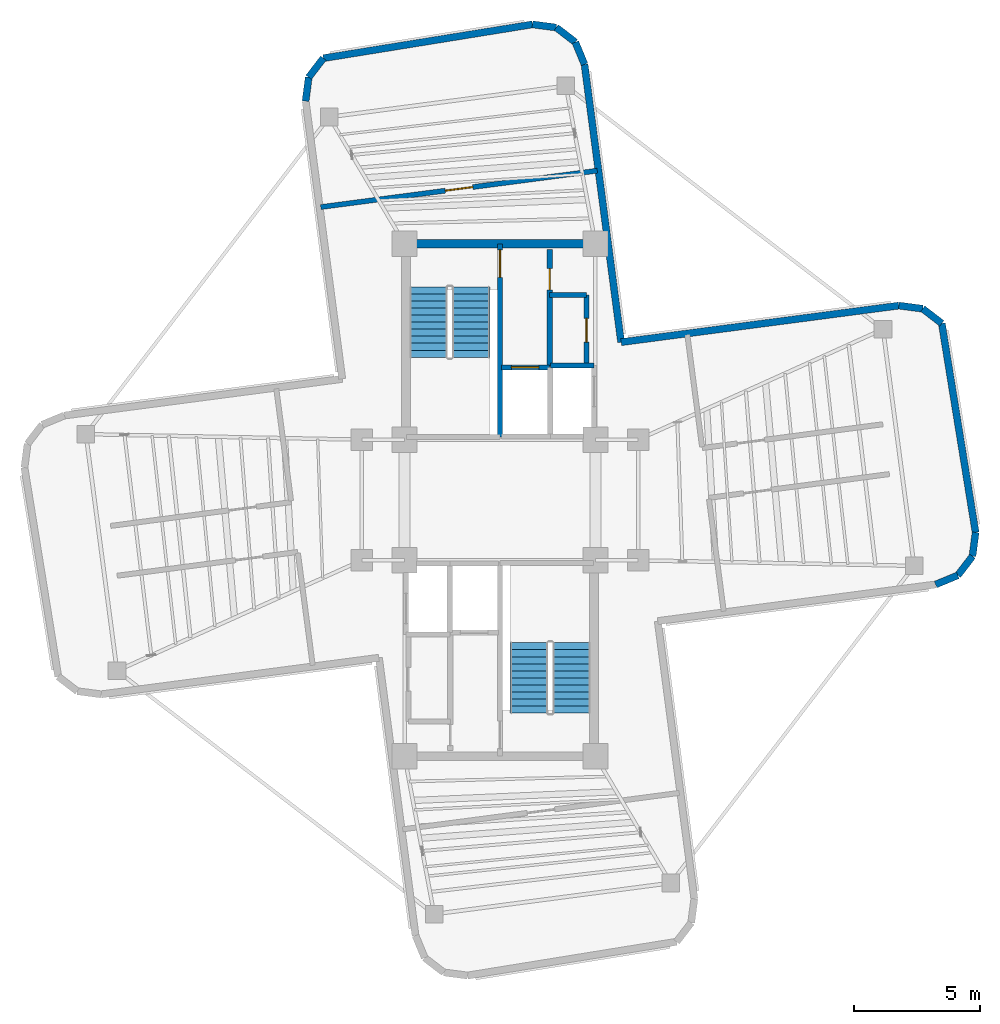
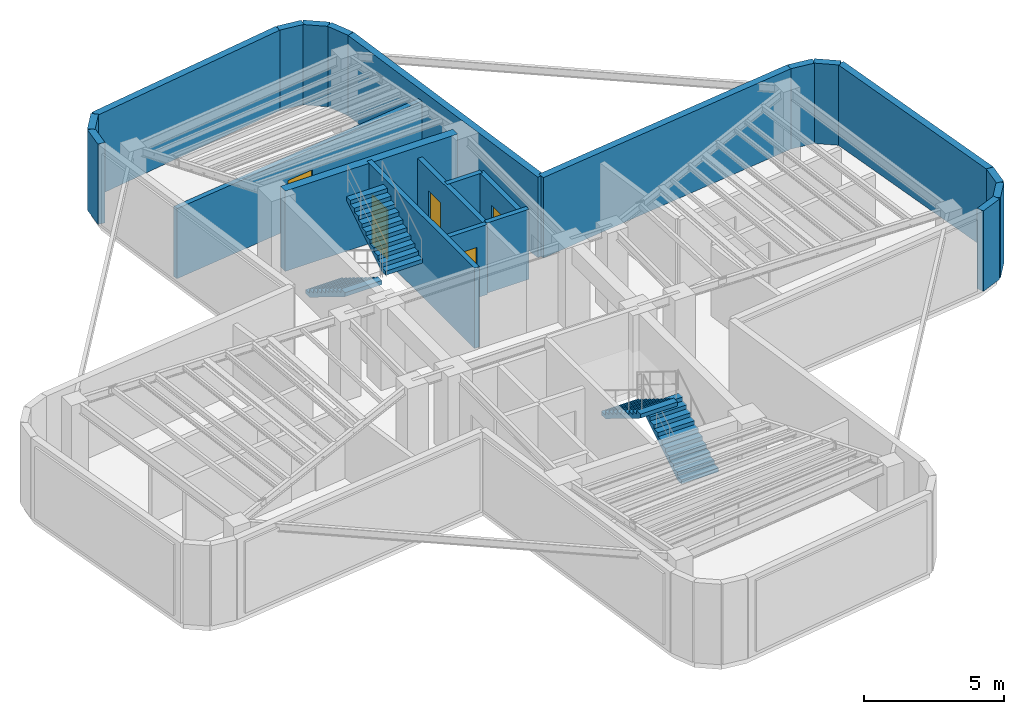
# One storey, part 5 of 6: 22 walls, 5 doors, 4 stair flights, 5 openings, 2 elements without a shape of their own.
"""IFC4 building model written with IfcOpenShell, lengths in metres."""

from ifc_helpers import new_model, si_unit, direction, frame, frame_2d, origin, origin_2d, place, context, subcontext, project, spatial, polyline, rectangle, outline, extrude, source, transform, mapped, material, layer, layer_set, type_object, element, fill, aggregate, save


model = new_model("IFC4")

# Units and contexts
model_context = context("Model", 3, precision=1e-05, world=origin(), true_north=direction((0.0, 1.0)))
body_context = subcontext(model_context, "Body", "Model", "MODEL_VIEW")
ifc_project = project(units=[si_unit("LENGTHUNIT", "METRE"), si_unit("AREAUNIT", "SQUARE_METRE"), si_unit("VOLUMEUNIT", "CUBIC_METRE"), si_unit("PLANEANGLEUNIT", "RADIAN"), si_unit("MASSUNIT", "GRAM", prefix="KILO")], contexts=[model_context])

# Site, building, storey
site_placement = place(None, origin())
site = spatial("IfcSite", under=ifc_project, at=site_placement, CompositionType="ELEMENT")
building_placement = place(site_placement, origin())
building = spatial("IfcBuilding", under=site, at=building_placement, Name="Sahyath Konkavel Grand Hotel", CompositionType="ELEMENT")
storey_placement = place(building_placement, frame((0.0, 0.0, 296.5)))
storey = spatial("IfcBuildingStorey", under=building, at=storey_placement, Name="L82", CompositionType="ELEMENT", Elevation=296.5)

# Wall
ifc_material_1 = material(Name="Concrete C40/50", Category="concrete")
ifc_layer_1 = layer(ifc_material_1, 0.35009765625)
ifc_layer_set_1 = layer_set([ifc_layer_1], Name="Concrete C40/50")
wall_type_1 = type_object("IfcWallType", Name="CWALL-350", PredefinedType="SHEAR", material=ifc_layer_set_1)
wall_1_placement = place(storey_placement, frame((-3.550048828125, 10.199951171875, 0.0), z_axis=(0.0, 0.0, 1.0), x_axis=(1.0, 0.0, 0.0)))
element("IfcWall", 1, at=wall_1_placement, inside=storey, type_object=wall_type_1, Name="L82 North Core Shear Wall N", PredefinedType="SHEAR", context=body_context, shape_type="SweptSolid", body=[
    extrude(rectangle(XDim=7.10009765625, YDim=0.35009765625, at=frame_2d((3.550048828125, 0.0))), origin(), (0.0, 0.0, 1.0), 3.5),
])

# Wall, opening, door
ifc_layer_2 = layer(ifc_material_1, 0.199951171875)
ifc_layer_set_2 = layer_set([ifc_layer_2], Name="Concrete C40/50")
wall_type_2 = type_object("IfcWallType", Name="WLL-CORE-200", PredefinedType="SOLIDWALL", material=ifc_layer_set_2)
wall_2_placement = place(storey_placement, frame((0.0, 2.5, 0.0), z_axis=(0.0, 0.0, 1.0), x_axis=(0.0, 1.0, 0.0)))
wall_2 = element("IfcWall", 2, at=wall_2_placement, inside=storey, type_object=wall_type_2, Name="L82 Stair ST-1 Shaft Wall E", PredefinedType="SOLIDWALL", context=body_context, shape_type="SweptSolid", body=[
    extrude(rectangle(XDim=7.679931640625, YDim=0.199951171875, at=frame_2d((3.83984375, 0.0))), origin(), (0.0, 0.0, 1.0), 3.5),
])
opening_1_placement = place(wall_2_placement, frame((6.360107421875, 0.0, 0.0)))
opening_1 = element("IfcOpeningElement", 3, at=opening_1_placement, cuts=wall_2, Name="Opening D-F12B", PredefinedType="OPENING", context=body_context, shape_type="SweptSolid", body=[
    extrude(rectangle(XDim=1.10009765625, YDim=2.14990234375, at=frame_2d((0.550048828125, 1.074951171875))), frame((0.0, 0.10986328125, 0.0), z_axis=(0.0, -1.0, 0.0), x_axis=(1.0, 0.0, 0.0)), (0.0, 0.0, 1.0), 0.219970703125),
])
ifc_material_2 = material(Name="Steel E350 Smokeproof Fire Door", Category="steel")
door_type_1 = type_object("IfcDoorType", Name="DR-FD120-1100", OperationType="NOTDEFINED", PredefinedType="DOOR", material=ifc_material_2)
shared_shape_1 = source(origin(), body_context, "Body", "SweptSolid", [
    extrude(rectangle(XDim=1.10009765625, YDim=0.050048828125, at=origin_2d()), origin(), (0.0, 0.0, 1.0), 2.14990234375),
])
door_1_placement = place(opening_1_placement, frame((0.550048828125, 0.0, 0.0)))
door_1 = element("IfcDoor", 4, at=door_1_placement, inside=storey, type_object=door_type_1, Name="L82 Stair ST-1 Fire Door", OperationType="SINGLE_SWING_RIGHT", OverallHeight=2.14990234375, OverallWidth=1.10009765625, PredefinedType="DOOR", context=body_context, shape_type="MappedRepresentation", body=[
    mapped(shared_shape_1, transform((0.0, 0.0, 0.0), scale=1.0)),
])
fill(opening_1, door_1)

wall_3_placement = place(storey_placement, frame((1.97998046875, 5.320068359375, 0.0), z_axis=(0.0, 0.0, 1.0), x_axis=(0.0, 1.0, 0.0)))
wall_3 = element("IfcWall", 5, at=wall_3_placement, inside=storey, type_object=wall_type_2, Name="L82 North Firefighting Lobby Wall E", PredefinedType="SOLIDWALL", context=body_context, shape_type="SweptSolid", body=[
    extrude(rectangle(XDim=4.659912109375, YDim=0.199951171875, at=frame_2d((2.330078125, 0.0))), origin(), (0.0, 0.0, 1.0), 3.050048828125),
])
opening_2_placement = place(wall_3_placement, frame((3.0400390625, 0.0, 0.0)))
opening_2 = element("IfcOpeningElement", 6, at=opening_2_placement, cuts=wall_3, Name="Opening D-F12D", PredefinedType="OPENING", context=body_context, shape_type="SweptSolid", body=[
    extrude(rectangle(XDim=0.85009765625, YDim=2.10009765625, at=frame_2d((0.425048828125, 1.050048828125))), frame((0.0, 0.10986328125, 0.0), z_axis=(0.0, -1.0, 0.0), x_axis=(1.0, 0.0, 0.0)), (0.0, 0.0, 1.0), 0.219970703125),
])
ifc_material_3 = material(Name="Steel E350 Core Fire Door", Category="steel")
door_type_2 = type_object("IfcDoorType", Name="DR-FD120-850", OperationType="NOTDEFINED", PredefinedType="DOOR", material=ifc_material_3)
shared_shape_2 = source(origin(), body_context, "Body", "SweptSolid", [
    extrude(rectangle(XDim=0.85009765625, YDim=0.050048828125, at=origin_2d()), origin(), (0.0, 0.0, 1.0), 2.10009765625),
])
door_2_placement = place(opening_2_placement, frame((0.425048828125, 0.0, 0.0)))
door_2 = element("IfcDoor", 7, at=door_2_placement, inside=storey, type_object=door_type_2, Name="L82 North Firefighting Lobby Door", OperationType="SINGLE_SWING_RIGHT", OverallHeight=2.10009765625, OverallWidth=0.85009765625, PredefinedType="DOOR", context=body_context, shape_type="MappedRepresentation", body=[
    mapped(shared_shape_2, transform((0.0, 0.0, 0.0), scale=1.0)),
])
fill(opening_2, door_2)

wall_4_placement = place(storey_placement, frame((0.050048828125, 5.280029296875, 0.0), z_axis=(0.0, 0.0, 1.0), x_axis=(1.0, 0.0, 0.0)))
wall_4 = element("IfcWall", 8, at=wall_4_placement, inside=storey, type_object=wall_type_2, Name="L82 Partition SH-FFL1-N", PredefinedType="SOLIDWALL", context=body_context, shape_type="SweptSolid", body=[
    extrude(rectangle(XDim=1.929931640625, YDim=0.199951171875, at=frame_2d((0.96484375, 0.0))), origin(), (0.0, 0.0, 1.0), 3.050048828125),
])
opening_3_placement = place(wall_4_placement, frame((0.39990234375, 0.0, 0.0)))
opening_3 = element("IfcOpeningElement", 9, at=opening_3_placement, cuts=wall_4, Name="Opening LD-11", PredefinedType="OPENING", context=body_context, shape_type="SweptSolid", body=[
    extrude(rectangle(XDim=1.10009765625, YDim=2.199951171875, at=frame_2d((0.550048828125, 1.10009765625))), frame((0.0, 0.10986328125, 0.0), z_axis=(0.0, -1.0, 0.0), x_axis=(1.0, 0.0, 0.0)), (0.0, 0.0, 1.0), 0.219970703125),
])
ifc_material_4 = material(Name="Bronze Lift Landing Door 1100")
door_type_3 = type_object("IfcDoorType", Name="DR-LIFT-1100", OperationType="DOUBLE_DOOR_SLIDING", PredefinedType="DOOR", material=ifc_material_4)
shared_shape_3 = source(origin(), body_context, "Body", "SweptSolid", [
    extrude(rectangle(XDim=1.10009765625, YDim=0.050048828125, at=origin_2d()), origin(), (0.0, 0.0, 1.0), 2.199951171875),
])
door_3_placement = place(opening_3_placement, frame((0.550048828125, 0.0, 0.0)))
door_3 = element("IfcDoor", 10, at=door_3_placement, inside=storey, type_object=door_type_3, Name="L82 Lift FFL-1 Landing Door", OperationType="DOUBLE_DOOR_SLIDING", OverallHeight=2.199951171875, OverallWidth=1.10009765625, PredefinedType="DOOR", context=body_context, shape_type="MappedRepresentation", body=[
    mapped(shared_shape_3, transform((0.0, 0.0, 0.0), scale=1.0)),
])
fill(opening_3, door_3)

# Wall
wall_5_placement = place(storey_placement, frame((2.0, 5.360107421875, 0.0), z_axis=(0.0, 0.0, 1.0), x_axis=(1.0, 0.0, 0.0)))
element("IfcWall", 11, at=wall_5_placement, inside=storey, type_object=wall_type_2, Name="L82 Partition SH-SVL1-N", PredefinedType="SOLIDWALL", context=body_context, shape_type="SweptSolid", body=[
    extrude(rectangle(XDim=1.739990234375, YDim=0.199951171875, at=frame_2d((0.8701171875, 0.0))), origin(), (0.0, 0.0, 1.0), 3.050048828125),
])

# Wall, opening, door
wall_6_placement = place(storey_placement, frame((3.43994140625, 5.3798828125, 0.0), z_axis=(0.0, 0.0, 1.0), x_axis=(0.0, 1.0, 0.0)))
wall_6 = element("IfcWall", 12, at=wall_6_placement, inside=storey, type_object=wall_type_2, Name="L82 Reclaimed North Core Wall E", PredefinedType="SOLIDWALL", context=body_context, shape_type="SweptSolid", body=[
    extrude(rectangle(XDim=2.77001953125, YDim=0.199951171875, at=frame_2d((1.385009765625, 0.0))), origin(), (0.0, 0.0, 1.0), 3.050048828125),
])
opening_4_placement = place(wall_6_placement, frame((0.89990234375, 0.0, 0.0)))
opening_4 = element("IfcOpeningElement", 13, at=opening_4_placement, cuts=wall_6, Name="Opening D-F06B", PredefinedType="OPENING", context=body_context, shape_type="SweptSolid", body=[
    extrude(rectangle(XDim=0.949951171875, YDim=2.14990234375, at=frame_2d((0.47509765625, 1.074951171875))), frame((0.0, 0.10986328125, 0.0), z_axis=(0.0, -1.0, 0.0), x_axis=(1.0, 0.0, 0.0)), (0.0, 0.0, 1.0), 0.219970703125),
])
ifc_material_5 = material(Name="Teak Veneer Fire-Rated Guest Entrance Door")
door_type_4 = type_object("IfcDoorType", Name="DR-FD60-950", OperationType="NOTDEFINED", PredefinedType="DOOR", material=ifc_material_5)
shared_shape_4 = source(origin(), body_context, "Body", "SweptSolid", [
    extrude(rectangle(XDim=0.949951171875, YDim=0.050048828125, at=origin_2d()), origin(), (0.0, 0.0, 1.0), 2.14990234375),
])
door_4_placement = place(opening_4_placement, frame((0.47509765625, 0.0, 0.0)))
door_4 = element("IfcDoor", 14, at=door_4_placement, inside=storey, type_object=door_type_4, Name="L82 Door NC-REC1-D", OperationType="SINGLE_SWING_RIGHT", OverallHeight=2.14990234375, OverallWidth=0.949951171875, PredefinedType="DOOR", context=body_context, shape_type="MappedRepresentation", body=[
    mapped(shared_shape_4, transform((0.0, 0.0, 0.0), scale=1.0)),
])
fill(opening_4, door_4)

# Wall
wall_7_placement = place(storey_placement, frame((1.97998046875, 8.14990234375, 0.0), z_axis=(0.0, 0.0, 1.0), x_axis=(1.0, 0.0, 0.0)))
element("IfcWall", 15, at=wall_7_placement, inside=storey, type_object=wall_type_2, Name="L82 Partition NC-REC-N", PredefinedType="SOLIDWALL", context=body_context, shape_type="SweptSolid", body=[
    extrude(rectangle(XDim=1.4599609375, YDim=0.199951171875, at=frame_2d((0.72998046875, 0.0))), origin(), (0.0, 0.0, 1.0), 3.050048828125),
])

# Wall, opening, door
wall_8_placement = place(storey_placement, frame((3.872314453125, 13.107666015625, 0.0), z_axis=(0.0, 0.0, 1.0), x_axis=(-0.991443437127, -0.130537009991, 0.0)))
wall_8 = element("IfcWall", 16, at=wall_8_placement, inside=storey, type_object=wall_type_2, Name="L82 Partition CP-TEL-IN", PredefinedType="SOLIDWALL", context=body_context, shape_type="SweptSolid", body=[
    extrude(rectangle(XDim=11.10009765625, YDim=0.199951171875, at=frame_2d((5.550048828125, 0.0))), origin(), (0.0, 0.0, 1.0), 3.050048828125),
])
opening_5_placement = place(wall_8_placement, frame((5.0, 0.0, 0.0)))
opening_5 = element("IfcOpeningElement", 17, at=opening_5_placement, cuts=wall_8, Name="Opening D-F12B", PredefinedType="OPENING", context=body_context, shape_type="SweptSolid", body=[
    extrude(rectangle(XDim=1.10009765625, YDim=2.14990234375, at=frame_2d((0.550048828125, 1.074951171875))), frame((0.0, 0.10986328125, 0.0), z_axis=(0.0, -1.0, 0.0), x_axis=(1.0, 0.0, 0.0)), (0.0, 0.0, 1.0), 0.219970703125),
])
door_5_placement = place(opening_5_placement, frame((0.550048828125, 0.0, 0.0)))
door_5 = element("IfcDoor", 18, at=door_5_placement, inside=storey, type_object=door_type_1, Name="L82 Door CP-TEL-D", OperationType="SINGLE_SWING_RIGHT", OverallHeight=2.14990234375, OverallWidth=1.10009765625, PredefinedType="DOOR", context=body_context, shape_type="MappedRepresentation", body=[
    mapped(shared_shape_1, transform((0.0, 0.0, 0.0), scale=1.0)),
])
fill(opening_5, door_5)

# Walls
ifc_material_6 = material(Name="Warm Buff Sandstone Insulated Concrete C40/50", Category="masonry")
ifc_layer_3 = layer(ifc_material_6, 0.280029296875)
ifc_layer_set_3 = layer_set([ifc_layer_3], Name="Warm Buff Sandstone Insulated Concrete C40/50")
wall_type_3 = type_object("IfcWallType", Name="WLL-CROWN-CLAD", PredefinedType="SOLIDWALL", material=ifc_layer_set_3)
for number, where, z_axis, x_axis, name in (
    (19, (17.337646484375, -3.36572265625, 0.0), (0.0, 0.0, 1.0), (0.923889442397, 0.382659506909, 0.0), "L82 Crown Sandstone & Acoustic Louvre Wall 1"),
    (20, (18.222412109375, -2.999267578125, 0.0), (0.0, 0.0, 1.0), (0.608774010809, 0.793343685778, 0.0), "L82 Crown Sandstone & Acoustic Louvre Wall 2"),
    (21, (18.805419921875, -2.239501953125, 0.0), (0.0, 0.0, 1.0), (0.130527053476, 0.991444747987, 0.0), "L82 Crown Sandstone & Acoustic Louvre Wall 3"),
):
    element("IfcWall", number, at=place(storey_placement, frame(where, z_axis=z_axis, x_axis=x_axis)), inside=storey, type_object=wall_type_3, Name=name, PredefinedType="SOLIDWALL", context=body_context, shape_type="SweptSolid", body=[
        extrude(rectangle(XDim=0.957763671875, YDim=0.280029296875, at=frame_2d((0.47900390625, 0.0))), origin(), (0.0, 0.0, 1.0), 3.5),
    ])
wall_9_placement = place(storey_placement, frame((18.930419921875, -1.2900390625, 0.0), z_axis=(0.0, 0.0, 1.0), x_axis=(-0.159629483961, 0.987176999251, 0.0)))
element("IfcWall", 22, at=wall_9_placement, inside=storey, type_object=wall_type_3, Name="L82 Crown Sandstone & Acoustic Louvre Wall 4", PredefinedType="SOLIDWALL", context=body_context, shape_type="SweptSolid", body=[
    extrude(rectangle(XDim=8.4287109375, YDim=0.280029296875, at=frame_2d((4.21435546875, 0.0))), origin(), (0.0, 0.0, 1.0), 3.5),
])
wall_10_placement = place(storey_placement, frame((17.5849609375, 7.030517578125, 0.0), z_axis=(0.0, 0.0, 1.0), x_axis=(-0.793466811674, 0.60861352168, 0.0)))
element("IfcWall", 23, at=wall_10_placement, inside=storey, type_object=wall_type_3, Name="L82 Crown Sandstone & Acoustic Louvre Wall 5", PredefinedType="SOLIDWALL", context=body_context, shape_type="SweptSolid", body=[
    extrude(rectangle(XDim=0.95751953125, YDim=0.280029296875, at=frame_2d((0.478759765625, 0.0))), origin(), (0.0, 0.0, 1.0), 3.5),
])
wall_11_placement = place(storey_placement, frame((16.8251953125, 7.61328125, 0.0), z_axis=(0.0, 0.0, 1.0), x_axis=(-0.991444747987, 0.130527053476, 0.0)))
element("IfcWall", 24, at=wall_11_placement, inside=storey, type_object=wall_type_3, Name="L82 Crown Sandstone & Acoustic Louvre Wall 6", PredefinedType="SOLIDWALL", context=body_context, shape_type="SweptSolid", body=[
    extrude(rectangle(XDim=0.957763671875, YDim=0.280029296875, at=frame_2d((0.47900390625, 0.0))), origin(), (0.0, 0.0, 1.0), 3.5),
])
for number, where, z_axis, x_axis, name in (
    (25, (15.875732421875, 7.73828125, 0.0), (0.0, 0.0, 1.0), (-0.991445499165, -0.130521347626, 0.0), "L82 Crown Sandstone & Acoustic Louvre Wall 7"),
    (26, (4.821044921875, 6.282958984375, 0.0), (0.0, 0.0, 1.0), (-0.130521347626, 0.991445499165, 0.0), "L82 Crown Sandstone & Acoustic Louvre Wall 8"),
):
    element("IfcWall", number, at=place(storey_placement, frame(where, z_axis=z_axis, x_axis=x_axis)), inside=storey, type_object=wall_type_3, Name=name, PredefinedType="SOLIDWALL", context=body_context, shape_type="SweptSolid", body=[
        extrude(rectangle(XDim=11.150146484375, YDim=0.280029296875, at=frame_2d((5.5751953125, 0.0))), origin(), (0.0, 0.0, 1.0), 3.5),
    ])
for number, where, z_axis, x_axis, name in (
    (27, (3.36572265625, 17.337646484375, 0.0), (0.0, 0.0, 1.0), (-0.382659506909, 0.923889442397, 0.0), "L82 Crown Sandstone & Acoustic Louvre Wall 9"),
    (28, (2.999267578125, 18.222412109375, 0.0), (0.0, 0.0, 1.0), (-0.793343685778, 0.608774010809, 0.0), "L82 Crown Sandstone & Acoustic Louvre Wall 10"),
    (29, (2.239501953125, 18.805419921875, 0.0), (0.0, 0.0, 1.0), (-0.991444747987, 0.130527053476, 0.0), "L82 Crown Sandstone & Acoustic Louvre Wall 11"),
):
    element("IfcWall", number, at=place(storey_placement, frame(where, z_axis=z_axis, x_axis=x_axis)), inside=storey, type_object=wall_type_3, Name=name, PredefinedType="SOLIDWALL", context=body_context, shape_type="SweptSolid", body=[
        extrude(rectangle(XDim=0.957763671875, YDim=0.280029296875, at=frame_2d((0.47900390625, 0.0))), origin(), (0.0, 0.0, 1.0), 3.5),
    ])
wall_12_placement = place(storey_placement, frame((1.2900390625, 18.930419921875, 0.0), z_axis=(0.0, 0.0, 1.0), x_axis=(-0.987176999251, -0.159629483961, 0.0)))
element("IfcWall", 30, at=wall_12_placement, inside=storey, type_object=wall_type_3, Name="L82 Crown Sandstone & Acoustic Louvre Wall 12", PredefinedType="SOLIDWALL", context=body_context, shape_type="SweptSolid", body=[
    extrude(rectangle(XDim=8.4287109375, YDim=0.280029296875, at=frame_2d((4.21435546875, 0.0))), origin(), (0.0, 0.0, 1.0), 3.5),
])
wall_13_placement = place(storey_placement, frame((-7.030517578125, 17.5849609375, 0.0), z_axis=(0.0, 0.0, 1.0), x_axis=(-0.60861352168, -0.793466811674, 0.0)))
element("IfcWall", 31, at=wall_13_placement, inside=storey, type_object=wall_type_3, Name="L82 Crown Sandstone & Acoustic Louvre Wall 13", PredefinedType="SOLIDWALL", context=body_context, shape_type="SweptSolid", body=[
    extrude(rectangle(XDim=0.95751953125, YDim=0.280029296875, at=frame_2d((0.478759765625, 0.0))), origin(), (0.0, 0.0, 1.0), 3.5),
])
wall_14_placement = place(storey_placement, frame((-7.61328125, 16.8251953125, 0.0), z_axis=(0.0, 0.0, 1.0), x_axis=(-0.130527053476, -0.991444747987, 0.0)))
element("IfcWall", 32, at=wall_14_placement, inside=storey, type_object=wall_type_3, Name="L82 Crown Sandstone & Acoustic Louvre Wall 14", PredefinedType="SOLIDWALL", context=body_context, shape_type="SweptSolid", body=[
    extrude(rectangle(XDim=0.957763671875, YDim=0.280029296875, at=frame_2d((0.47900390625, 0.0))), origin(), (0.0, 0.0, 1.0), 3.5),
])

# Stair, stair flights
stair_type = type_object("IfcStairType", Name="STR-ST16-380", PredefinedType="HALF_TURN_STAIR", material=ifc_material_1)
stair_1_placement = place(storey_placement, origin())
stair_1 = element("IfcStair", 33, at=stair_1_placement, inside=storey, type_object=stair_type, Name="L82 North Core Smokeproof Exit Stair ST-1", PredefinedType="HALF_TURN_STAIR")
stair_flight_type = type_object("IfcStairFlightType", Name="STF-ST16-380", PredefinedType="STRAIGHT", material=ifc_material_1)
stair_flight_1_placement = place(storey_placement, frame((-2.840087890625, 8.47998046875, 0.0), z_axis=(0.0, 0.0, 1.0), x_axis=(0.0, -1.0, 0.0)))
stair_flight_1 = element("IfcStairFlight", 34, at=stair_flight_1_placement, type_object=stair_flight_type, Name="ST-1 flight 1", NumberOfRisers=11, NumberOfTreads=10, PredefinedType="STRAIGHT", RiserHeight=0.172727273, TreadLength=0.28, context=body_context, shape_type="SweptSolid", body=[
    extrude(outline(polyline([(0.0, 0.0), (0.0, 0.172607421875), (0.280029296875, 0.172607421875), (0.280029296875, 0.345458984375), (0.56005859375, 0.345458984375), (0.56005859375, 0.51806640625), (0.840087890625, 0.51806640625), (0.840087890625, 0.69091796875), (1.1201171875, 0.69091796875), (1.1201171875, 0.863525390625), (1.39990234375, 0.863525390625), (1.39990234375, 1.036376953125), (1.679931640625, 1.036376953125), (1.679931640625, 1.208984375), (1.9599609375, 1.208984375), (1.9599609375, 1.3818359375), (2.239990234375, 1.3818359375), (2.239990234375, 1.554443359375), (2.52001953125, 1.554443359375), (2.52001953125, 1.727294921875), (2.800048828125, 1.727294921875), (2.800048828125, 1.89990234375), (2.800048828125, 1.551025390625), (0.285400390625, 0.0), (0.0, 0.0)])), frame((0.0, 0.760009765625, 0.0), z_axis=(0.0, -1.0, 0.0), x_axis=(1.0, 0.0, 0.0)), (0.0, 0.0, 1.0), 1.52001953125),
])
stair_flight_2_placement = place(storey_placement, frame((-1.159912109375, 5.679931640625, 1.89990234375), z_axis=(0.0, 0.0, 1.0), x_axis=(0.0, 1.0, 0.0)))
stair_flight_2 = element("IfcStairFlight", 35, at=stair_flight_2_placement, type_object=stair_flight_type, Name="ST-1 flight 2", NumberOfRisers=11, NumberOfTreads=10, PredefinedType="STRAIGHT", RiserHeight=0.172727273, TreadLength=0.28, context=body_context, shape_type="SweptSolid", body=[
    extrude(outline(polyline([(0.0, 0.0), (0.0, 0.172607421875), (0.280029296875, 0.172607421875), (0.280029296875, 0.345458984375), (0.56005859375, 0.345458984375), (0.56005859375, 0.51806640625), (0.840087890625, 0.51806640625), (0.840087890625, 0.69091796875), (1.1201171875, 0.69091796875), (1.1201171875, 0.863525390625), (1.39990234375, 0.863525390625), (1.39990234375, 1.036376953125), (1.679931640625, 1.036376953125), (1.679931640625, 1.208984375), (1.9599609375, 1.208984375), (1.9599609375, 1.3818359375), (2.239990234375, 1.3818359375), (2.239990234375, 1.554443359375), (2.52001953125, 1.554443359375), (2.52001953125, 1.727294921875), (2.800048828125, 1.727294921875), (2.800048828125, 1.89990234375), (2.800048828125, 1.551025390625), (0.285400390625, 0.0), (0.0, 0.0)])), frame((0.0, 0.760009765625, 0.0), z_axis=(0.0, -1.0, 0.0), x_axis=(1.0, 0.0, 0.0)), (0.0, 0.0, 1.0), 1.52001953125),
])
aggregate(stair_1, [stair_flight_1, stair_flight_2])

stair_2_placement = place(storey_placement, origin())
stair_2 = element("IfcStair", 36, at=stair_2_placement, inside=storey, type_object=stair_type, Name="L82 South Core Smokeproof Exit Stair ST-2", PredefinedType="HALF_TURN_STAIR")
stair_flight_3_placement = place(storey_placement, frame((2.840087890625, -8.47998046875, 0.0), z_axis=(0.0, 0.0, 1.0), x_axis=(0.0, 1.0, 0.0)))
stair_flight_3 = element("IfcStairFlight", 37, at=stair_flight_3_placement, type_object=stair_flight_type, Name="ST-2 flight 1", NumberOfRisers=11, NumberOfTreads=10, PredefinedType="STRAIGHT", RiserHeight=0.172727273, TreadLength=0.28, context=body_context, shape_type="SweptSolid", body=[
    extrude(outline(polyline([(0.0, 0.0), (0.0, 0.172607421875), (0.280029296875, 0.172607421875), (0.280029296875, 0.345458984375), (0.56005859375, 0.345458984375), (0.56005859375, 0.51806640625), (0.840087890625, 0.51806640625), (0.840087890625, 0.69091796875), (1.1201171875, 0.69091796875), (1.1201171875, 0.863525390625), (1.39990234375, 0.863525390625), (1.39990234375, 1.036376953125), (1.679931640625, 1.036376953125), (1.679931640625, 1.208984375), (1.9599609375, 1.208984375), (1.9599609375, 1.3818359375), (2.239990234375, 1.3818359375), (2.239990234375, 1.554443359375), (2.52001953125, 1.554443359375), (2.52001953125, 1.727294921875), (2.800048828125, 1.727294921875), (2.800048828125, 1.89990234375), (2.800048828125, 1.551025390625), (0.285400390625, 0.0), (0.0, 0.0)])), frame((0.0, 0.760009765625, 0.0), z_axis=(0.0, -1.0, 0.0), x_axis=(1.0, 0.0, 0.0)), (0.0, 0.0, 1.0), 1.52001953125),
])
stair_flight_4_placement = place(storey_placement, frame((1.159912109375, -5.679931640625, 1.89990234375), z_axis=(0.0, 0.0, 1.0), x_axis=(0.0, -1.0, 0.0)))
stair_flight_4 = element("IfcStairFlight", 38, at=stair_flight_4_placement, type_object=stair_flight_type, Name="ST-2 flight 2", NumberOfRisers=11, NumberOfTreads=10, PredefinedType="STRAIGHT", RiserHeight=0.172727273, TreadLength=0.28, context=body_context, shape_type="SweptSolid", body=[
    extrude(outline(polyline([(0.0, 0.0), (0.0, 0.172607421875), (0.280029296875, 0.172607421875), (0.280029296875, 0.345458984375), (0.56005859375, 0.345458984375), (0.56005859375, 0.51806640625), (0.840087890625, 0.51806640625), (0.840087890625, 0.69091796875), (1.1201171875, 0.69091796875), (1.1201171875, 0.863525390625), (1.39990234375, 0.863525390625), (1.39990234375, 1.036376953125), (1.679931640625, 1.036376953125), (1.679931640625, 1.208984375), (1.9599609375, 1.208984375), (1.9599609375, 1.3818359375), (2.239990234375, 1.3818359375), (2.239990234375, 1.554443359375), (2.52001953125, 1.554443359375), (2.52001953125, 1.727294921875), (2.800048828125, 1.727294921875), (2.800048828125, 1.89990234375), (2.800048828125, 1.551025390625), (0.285400390625, 0.0), (0.0, 0.0)])), frame((0.0, 0.760009765625, 0.0), z_axis=(0.0, -1.0, 0.0), x_axis=(1.0, 0.0, 0.0)), (0.0, 0.0, 1.0), 1.52001953125),
])
aggregate(stair_2, [stair_flight_3, stair_flight_4])

save(model, "model.ifc")
